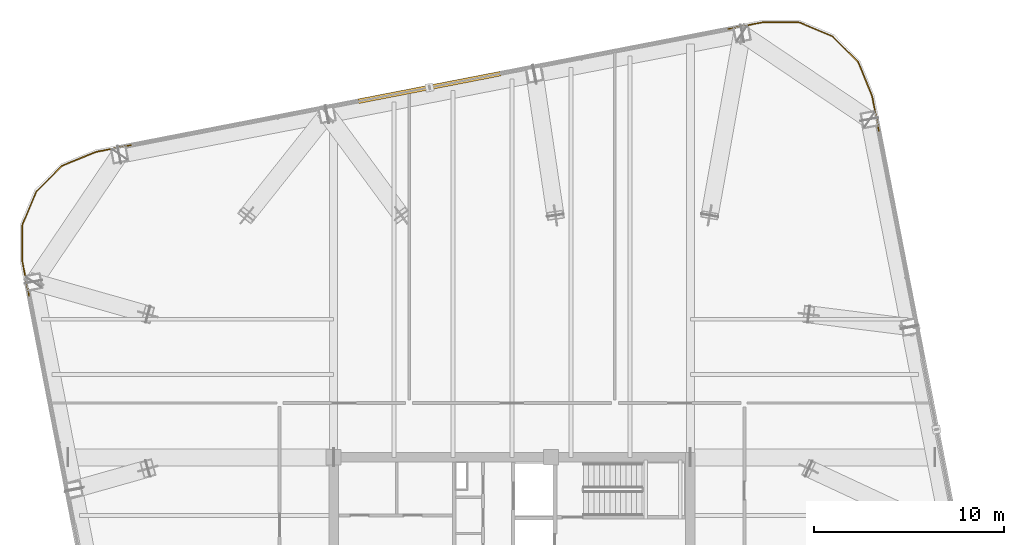
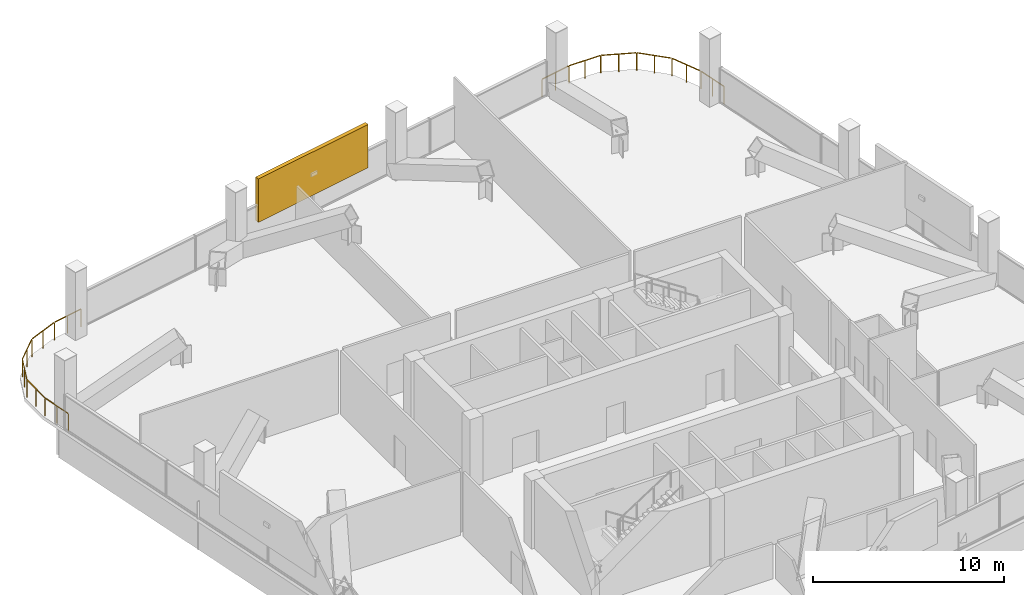
# One storey, part 26 of 26: 2 railings, 1 shading device.
"""IFC4 building model written with IfcOpenShell, lengths in metres."""

from ifc_helpers import new_model, si_unit, direction, frame, origin, origin_2d, place, context, subcontext, project, spatial, rectangle, extrude, material, type_object, element, save


model = new_model("IFC4")

# Units and contexts
model_context = context("Model", 3, precision=1e-05, world=origin(), true_north=direction((0.0, 1.0)))
body_context = subcontext(model_context, "Body", "Model", "MODEL_VIEW")
ifc_project = project(units=[si_unit("LENGTHUNIT", "METRE"), si_unit("AREAUNIT", "SQUARE_METRE"), si_unit("VOLUMEUNIT", "CUBIC_METRE"), si_unit("PLANEANGLEUNIT", "RADIAN"), si_unit("MASSUNIT", "GRAM", prefix="KILO")], contexts=[model_context])

# Site, building, storey
site_placement = place(None, origin())
site = spatial("IfcSite", under=ifc_project, at=site_placement, CompositionType="ELEMENT")
building_placement = place(site_placement, origin())
building = spatial("IfcBuilding", under=site, at=building_placement, Name="Qhalaya Broadcast Tower", CompositionType="ELEMENT")
storey_placement = place(building_placement, frame((0.0, 0.0, 140.25)))
storey = spatial("IfcBuildingStorey", under=building, at=storey_placement, Name="L41", CompositionType="ELEMENT", Elevation=140.25)

# Railings
ifc_material_1 = material(Name="Powder-Coated Galvanised Steel", Category="steel")
railing_type = type_object("IfcRailingType", Name="Terrace, Sky-Pool & Lookout Glass Balustrade 1150", PredefinedType="BALUSTRADE", material=ifc_material_1)
railing_1_placement = place(storey_placement, frame((-25.36181640625, 18.43115234375, 0.0)))
element("IfcRailing", 1, at=railing_1_placement, inside=storey, type_object=railing_type, Name="L41 Rounded Corner Perimeter Guard 03", PredefinedType="BALUSTRADE", context=body_context, shape_type="SweptSolid", body=[
    extrude(rectangle(XDim=0.048095703125, YDim=0.048095703125, at=origin_2d()), frame((0.0, 0.0, 1.1259765625), z_axis=(-0.190827417864, 0.981623602299, 0.0), x_axis=(-0.981623602299, -0.190827417864, 0.0)), (0.0, 0.0, 1.0), 1.82763671875),
    extrude(rectangle(XDim=0.048095703125, YDim=0.048095703125, at=origin_2d()), frame((-0.35400390625, 1.85107421875, 1.1259765625), z_axis=(0.004334482484, 0.999990606087, 0.0), x_axis=(-0.999990606087, 0.004334482484, 0.0)), (0.0, 0.0, 1.0), 1.857421875),
    extrude(rectangle(XDim=0.048095703125, YDim=0.048095703125, at=origin_2d()), frame((-0.334716796875, 3.763916015625, 1.1259765625), z_axis=(0.386754828875, 0.922182575384, 0.0), x_axis=(-0.922182575384, 0.386754828875, 0.0)), (0.0, 0.0, 1.0), 1.845458984375),
    extrude(rectangle(XDim=0.048095703125, YDim=0.048095703125, at=origin_2d()), frame((0.41064453125, 5.5126953125, 1.1259765625), z_axis=(0.710178888649, 0.704021268228, 0.0), x_axis=(-0.704021268228, 0.710178888649, 0.0)), (0.0, 0.0, 1.0), 1.845458984375),
    extrude(rectangle(XDim=0.048095703125, YDim=0.048095703125, at=origin_2d()), frame((1.768310546875, 6.84326171875, 1.1259765625), z_axis=(0.92552055863, 0.378697366711, 0.0), x_axis=(-0.378697366711, 0.92552055863, 0.0)), (0.0, 0.0, 1.0), 1.857666015625),
    extrude(rectangle(XDim=0.048095703125, YDim=0.048095703125, at=origin_2d()), frame((3.542724609375, 7.563232421875, 1.1259765625), z_axis=(0.981643446311, 0.190725311155, 0.0), x_axis=(-0.190725311155, 0.981643446311, 0.0)), (0.0, 0.0, 1.0), 1.8271484375),
    extrude(rectangle(XDim=0.0419921875, YDim=0.0419921875, at=origin_2d()), origin(), (0.0, 0.0, 1.0), 1.099853515625),
    extrude(rectangle(XDim=0.0419921875, YDim=0.0419921875, at=origin_2d()), frame((-0.17724609375, 0.9111328125, 0.0)), (0.0, 0.0, 1.0), 1.099853515625),
    extrude(rectangle(XDim=0.0419921875, YDim=0.0419921875, at=origin_2d()), frame((-0.354248046875, 1.822265625, 0.0)), (0.0, 0.0, 1.0), 1.099853515625),
    extrude(rectangle(XDim=0.0419921875, YDim=0.0419921875, at=origin_2d()), frame((-0.35009765625, 2.77978515625, 0.0)), (0.0, 0.0, 1.0), 1.099853515625),
    extrude(rectangle(XDim=0.0419921875, YDim=0.0419921875, at=origin_2d()), frame((-0.345947265625, 3.7373046875, 0.0)), (0.0, 0.0, 1.0), 1.099853515625),
    extrude(rectangle(XDim=0.0419921875, YDim=0.0419921875, at=origin_2d()), frame((0.02197265625, 4.61474609375, 0.0)), (0.0, 0.0, 1.0), 1.099853515625),
    extrude(rectangle(XDim=0.0419921875, YDim=0.0419921875, at=origin_2d()), frame((0.39013671875, 5.492431640625, 0.0)), (0.0, 0.0, 1.0), 1.099853515625),
    extrude(rectangle(XDim=0.0419921875, YDim=0.0419921875, at=origin_2d()), frame((1.06591796875, 6.162353515625, 0.0)), (0.0, 0.0, 1.0), 1.099853515625),
    extrude(rectangle(XDim=0.0419921875, YDim=0.0419921875, at=origin_2d()), frame((1.74169921875, 6.832275390625, 0.0)), (0.0, 0.0, 1.0), 1.099853515625),
    extrude(rectangle(XDim=0.0419921875, YDim=0.0419921875, at=origin_2d()), frame((2.6279296875, 7.19482421875, 0.0)), (0.0, 0.0, 1.0), 1.099853515625),
    extrude(rectangle(XDim=0.0419921875, YDim=0.0419921875, at=origin_2d()), frame((3.514404296875, 7.5576171875, 0.0)), (0.0, 0.0, 1.0), 1.099853515625),
    extrude(rectangle(XDim=0.0419921875, YDim=0.0419921875, at=origin_2d()), frame((4.42529296875, 7.734619140625, 0.0)), (0.0, 0.0, 1.0), 1.099853515625),
    extrude(rectangle(XDim=0.0419921875, YDim=0.0419921875, at=origin_2d()), frame((5.33642578125, 7.91162109375, 0.0)), (0.0, 0.0, 1.0), 1.099853515625),
])
railing_2_placement = place(storey_placement, frame((11.351318359375, 32.44189453125, 0.0)))
element("IfcRailing", 2, at=railing_2_placement, inside=storey, type_object=railing_type, Name="L41 Rounded Corner Perimeter Guard 04", PredefinedType="BALUSTRADE", context=body_context, shape_type="SweptSolid", body=[
    extrude(rectangle(XDim=0.048095703125, YDim=0.048095703125, at=origin_2d()), frame((0.0, 0.0, 1.1259765625), z_axis=(0.981643446311, 0.190725311155, 0.0), x_axis=(-0.190725311155, 0.981643446311, 0.0)), (0.0, 0.0, 1.0), 1.8271484375),
    extrude(rectangle(XDim=0.048095703125, YDim=0.048095703125, at=origin_2d()), frame((1.850830078125, 0.353759765625, 1.1259765625), z_axis=(0.999990606087, -0.004334482484, 0.0), x_axis=(0.004334482484, 0.999990606087, 0.0)), (0.0, 0.0, 1.0), 1.857421875),
    extrude(rectangle(XDim=0.048095703125, YDim=0.048095703125, at=origin_2d()), frame((3.763671875, 0.33447265625, 1.1259765625), z_axis=(0.922247496545, -0.386599993684, 0.0), x_axis=(0.386599993684, 0.922247496545, 0.0)), (0.0, 0.0, 1.0), 1.845703125),
    extrude(rectangle(XDim=0.048095703125, YDim=0.048095703125, at=origin_2d()), frame((5.5126953125, -0.41064453125, 1.1259765625), z_axis=(0.704021268228, -0.710178888649, 0.0), x_axis=(0.710178888649, 0.704021268228, 0.0)), (0.0, 0.0, 1.0), 1.845458984375),
    extrude(rectangle(XDim=0.048095703125, YDim=0.048095703125, at=origin_2d()), frame((6.84326171875, -1.768310546875, 1.1259765625), z_axis=(0.378588174109, -0.925565229698, 0.0), x_axis=(0.925565229698, 0.378588174109, 0.0)), (0.0, 0.0, 1.0), 1.857666015625),
    extrude(rectangle(XDim=0.048095703125, YDim=0.048095703125, at=origin_2d()), frame((7.56298828125, -3.542724609375, 1.1259765625), z_axis=(0.190725311155, -0.981643446311, 0.0), x_axis=(0.981643446311, 0.190725311155, 0.0)), (0.0, 0.0, 1.0), 1.8271484375),
    extrude(rectangle(XDim=0.0419921875, YDim=0.0419921875, at=origin_2d()), origin(), (0.0, 0.0, 1.0), 1.099853515625),
    extrude(rectangle(XDim=0.0419921875, YDim=0.0419921875, at=origin_2d()), frame((0.9111328125, 0.177001953125, 0.0)), (0.0, 0.0, 1.0), 1.099853515625),
    extrude(rectangle(XDim=0.0419921875, YDim=0.0419921875, at=origin_2d()), frame((1.822021484375, 0.35400390625, 0.0)), (0.0, 0.0, 1.0), 1.099853515625),
    extrude(rectangle(XDim=0.0419921875, YDim=0.0419921875, at=origin_2d()), frame((2.779541015625, 0.349853515625, 0.0)), (0.0, 0.0, 1.0), 1.099853515625),
    extrude(rectangle(XDim=0.0419921875, YDim=0.0419921875, at=origin_2d()), frame((3.737060546875, 0.345703125, 0.0)), (0.0, 0.0, 1.0), 1.099853515625),
    extrude(rectangle(XDim=0.0419921875, YDim=0.0419921875, at=origin_2d()), frame((4.61474609375, -0.022216796875, 0.0)), (0.0, 0.0, 1.0), 1.099853515625),
    extrude(rectangle(XDim=0.0419921875, YDim=0.0419921875, at=origin_2d()), frame((5.492431640625, -0.39013671875, 0.0)), (0.0, 0.0, 1.0), 1.099853515625),
    extrude(rectangle(XDim=0.0419921875, YDim=0.0419921875, at=origin_2d()), frame((6.162353515625, -1.06591796875, 0.0)), (0.0, 0.0, 1.0), 1.099853515625),
    extrude(rectangle(XDim=0.0419921875, YDim=0.0419921875, at=origin_2d()), frame((6.832275390625, -1.74169921875, 0.0)), (0.0, 0.0, 1.0), 1.099853515625),
    extrude(rectangle(XDim=0.0419921875, YDim=0.0419921875, at=origin_2d()), frame((7.19482421875, -2.6279296875, 0.0)), (0.0, 0.0, 1.0), 1.099853515625),
    extrude(rectangle(XDim=0.0419921875, YDim=0.0419921875, at=origin_2d()), frame((7.557373046875, -3.514404296875, 0.0)), (0.0, 0.0, 1.0), 1.099853515625),
    extrude(rectangle(XDim=0.0419921875, YDim=0.0419921875, at=origin_2d()), frame((7.734375, -4.42529296875, 0.0)), (0.0, 0.0, 1.0), 1.099853515625),
    extrude(rectangle(XDim=0.0419921875, YDim=0.0419921875, at=origin_2d()), frame((7.911376953125, -5.33642578125, 0.0)), (0.0, 0.0, 1.0), 1.099853515625),
])

# Shading device
ifc_material_2 = material(Name="Fired Architectural Terracotta", Category="masonry")
shading_device_type = type_object("IfcShadingDeviceType", Name="Terracotta Baguette Solar Screen Assembly TBS-01", PredefinedType="USERDEFINED", material=ifc_material_2)
shading_device_placement = place(storey_placement, frame((-4.333251953125, 29.372802734375, 1.139404296875), z_axis=(0.0, 0.0, 1.0), x_axis=(-0.981627183448, -0.190808995377, 0.0)))
element("IfcShadingDevice", 3, at=shading_device_placement, inside=storey, type_object=shading_device_type, Name="L41 Fired Terracotta Baguette Screen N", ObjectType="BAGUETTE", PredefinedType="USERDEFINED", context=body_context, shape_type="SweptSolid", body=[
    extrude(rectangle(XDim=7.60009765625, YDim=0.239990234375, at=origin_2d()), origin(), (0.0, 0.0, 1.0), 2.76806640625),
])

save(model, "model.ifc")
